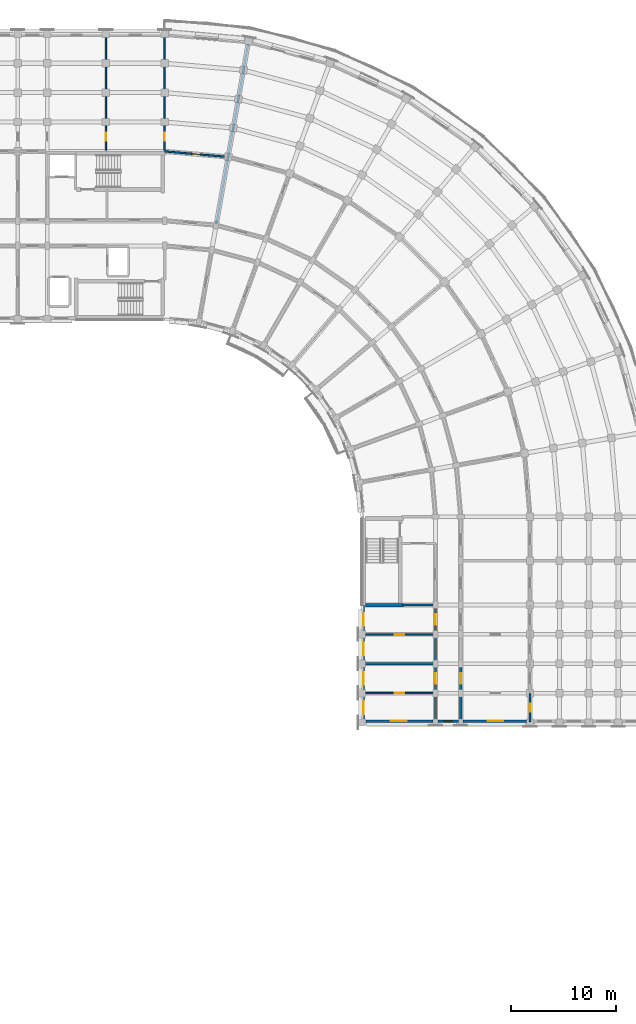
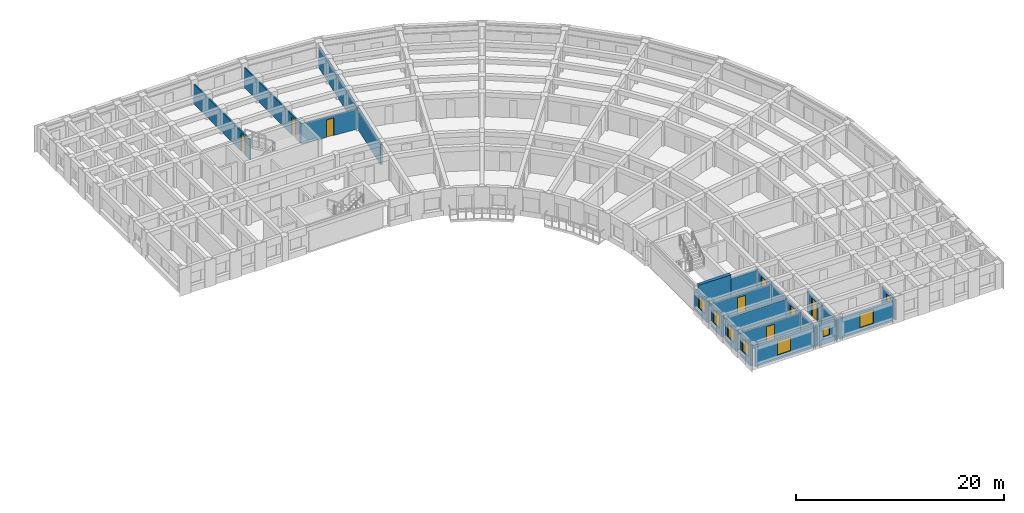
# One storey, part 32 of 57: 23 walls, 9 doors, 7 windows, 16 openings.
"""IFC4 building model written with IfcOpenShell, lengths in metres."""

import ifcopenshell
import ifcopenshell.guid

model = None  # the IFC model being written
_history = None  # IfcOwnerHistory: only IFC2X3 demands one
_inside = {}  # id of a spatial element -> (the spatial element, [elements in it])
_under = {}  # id of a project, library or spatial element -> (it, [spatial elements below it])
_declared = {}  # id of a project -> (the project, [libraries it declares])
_typed = {}  # id of a type object -> (the type object, [elements of that type])
_made_of = {}  # id of a material, layer set ... -> (it, [elements and type objects made of it])


def new_model(schema):
    """Start an empty IFC model of exactly this schema.

    Asked for "IFC4X3", IfcOpenShell would pick the latest addendum, in which some entities
    have other attributes; the version numbers below select the first issue.
    IFC2X3 requires an IfcOwnerHistory on every rooted entity: one is made here for all.
    """
    global model, _history
    if schema == "IFC4X3":
        model = ifcopenshell.file(schema_version=(4, 3, 0, 0))
    else:
        model = ifcopenshell.file(schema=schema)
    _inside.clear()
    _under.clear()
    _declared.clear()
    _typed.clear()
    _made_of.clear()
    _history = None
    if model.schema == "IFC2X3":
        org = make("IfcOrganization", Name="unknown")
        user = make(
            "IfcPersonAndOrganization",
            ThePerson=make("IfcPerson", FamilyName="unknown"),
            TheOrganization=org,
        )
        app = make(
            "IfcApplication",
            ApplicationDeveloper=org,
            Version="unknown",
            ApplicationFullName="unknown",
            ApplicationIdentifier="unknown",
        )
        _history = make(
            "IfcOwnerHistory",
            OwningUser=user,
            OwningApplication=app,
            ChangeAction="ADDED",
            CreationDate=0,
        )
    return model


def make(cls, **values):
    """One entity of the class cls with the attributes given. An attribute that is None is left unset."""
    return model.create_entity(
        cls, **{name: value for name, value in values.items() if value is not None}
    )


def rooted(cls, **values):
    """An entity with a GlobalId (a new one), such as an element, a storey or a relation."""
    return make(cls, GlobalId=ifcopenshell.guid.new(), OwnerHistory=_history, **values)


def si_unit(unit_type, name, prefix=None):
    """IfcSIUnit, for example si_unit("LENGTHUNIT", "METRE", prefix="MILLI")."""
    return make("IfcSIUnit", UnitType=unit_type, Prefix=prefix, Name=name)


def assignment(units):
    """IfcUnitAssignment: the units of a project."""
    return None if units is None else make("IfcUnitAssignment", Units=units)


def point(xyz):
    """IfcCartesianPoint."""
    return None if xyz is None else make("IfcCartesianPoint", Coordinates=xyz)


def direction(xyz):
    """IfcDirection."""
    return None if xyz is None else make("IfcDirection", DirectionRatios=xyz)


def frame(location, z_axis=None, x_axis=None):
    """IfcAxis2Placement3D, a coordinate frame: its origin and axes. An axis left out is left unset."""
    return make(
        "IfcAxis2Placement3D",
        Location=point(location),
        Axis=direction(z_axis),
        RefDirection=direction(x_axis),
    )


def frame_2d(location, x_axis=None):
    """IfcAxis2Placement2D, a coordinate frame in the plane: its origin and x axis."""
    return make(
        "IfcAxis2Placement2D", Location=point(location), RefDirection=direction(x_axis)
    )


def origin():
    """The frame at (0, 0, 0) with its axes left unset."""
    return frame((0.0, 0.0, 0.0))


def place(relative_to, where):
    """IfcLocalPlacement: puts the frame where relative to a parent placement (None: the world)."""
    return make(
        "IfcLocalPlacement", PlacementRelTo=relative_to, RelativePlacement=where
    )


def context(
    kind, dimensions, precision=None, world=None, true_north=None, identifier=None
):
    """IfcGeometricRepresentationContext, for example the 3D "Model" context."""
    return make(
        "IfcGeometricRepresentationContext",
        ContextIdentifier=identifier,
        ContextType=kind,
        CoordinateSpaceDimension=dimensions,
        Precision=precision,
        WorldCoordinateSystem=world,
        TrueNorth=true_north,
    )


def subcontext(parent, identifier, kind, view, scale=None):
    """IfcGeometricRepresentationSubContext, for example "Body" below "Model"."""
    return make(
        "IfcGeometricRepresentationSubContext",
        ContextIdentifier=identifier,
        ContextType=kind,
        ParentContext=parent,
        TargetScale=scale,
        TargetView=view,
    )


def project(units=None, contexts=None):
    """IfcProject with its units and contexts."""
    return rooted(
        "IfcProject",
        Name="project",
        RepresentationContexts=contexts,
        UnitsInContext=assignment(units),
    )


def spatial(cls, under=None, at=None, **own):
    """A site, building, storey or space (cls), placed at a placement, below another one or the project."""
    s = rooted(cls, ObjectPlacement=at, **own)
    if under is not None:
        _under.setdefault(under.id(), (under, []))[1].append(s)
    return s


def profile(cls, at=None, kind="AREA", **sizes):
    """A parametric profile (cls). Its sizes go by their IFC names, for example OverallWidth=200.0."""
    return make(cls, ProfileType=kind, Position=at, **sizes)


def rectangle(**sizes):
    """IfcRectangleProfileDef."""
    return profile("IfcRectangleProfileDef", **sizes)


def extrude(swept, where, along, depth):
    """IfcExtrudedAreaSolid: the profile swept, set in the frame where, extruded along a direction by depth."""
    return make(
        "IfcExtrudedAreaSolid",
        SweptArea=swept,
        Position=where,
        ExtrudedDirection=direction(along),
        Depth=depth,
    )


def shape(context_of_items, identifier, shape_type, items):
    """IfcShapeRepresentation: the items that make up one representation, for example the "Body"."""
    return make(
        "IfcShapeRepresentation",
        ContextOfItems=context_of_items,
        RepresentationIdentifier=identifier,
        RepresentationType=shape_type,
        Items=items,
    )


def material(Name=None, Category=None):
    """IfcMaterial."""
    return make("IfcMaterial", Name=Name, Category=Category)


def layer(
    of_material, thickness, ventilated=None, Name=None, Category=None, Priority=None
):
    """IfcMaterialLayer: one layer of a wall or slab, of a material (None: an air gap)."""
    return make(
        "IfcMaterialLayer",
        Material=of_material,
        LayerThickness=thickness,
        IsVentilated=ventilated,
        Name=Name,
        Category=Category,
        Priority=Priority,
    )


def layer_set(layers, Name=None):
    """IfcMaterialLayerSet."""
    return make("IfcMaterialLayerSet", MaterialLayers=layers, LayerSetName=Name)


def made_of(thing, what):
    """Note that an element or type object is made of a material, layer set ...; save() writes the relation."""
    if what is not None:
        _made_of.setdefault(what.id(), (what, []))[1].append(thing)
    return thing


def type_object(cls, material=None, **own):
    """A type object (cls), such as IfcWallType, which elements share."""
    return made_of(rooted(cls, **own), material)


def element(
    cls,
    number,
    at=None,
    inside=None,
    cuts=None,
    type_object=None,
    material=None,
    context=None,
    identifier="Body",
    shape_type=None,
    held_by="IfcProductDefinitionShape",
    body=None,
    shapes=None,
    **own,
):
    """One element of the class cls, such as IfcWall. Its Tag is "e" and its number.

    at: its placement. inside: the storey or other place that contains it. cuts: it is an
    opening in that element (IfcRelVoidsElement). A single representation is given by context,
    identifier, shape_type and body (its items); several are given by shapes. held_by: the class
    of the entity that holds the representations. save() writes the other relations.
    """
    e = rooted(cls, Tag="e%d" % number, ObjectPlacement=at, **own)
    if body is not None:
        shapes = [shape(context, identifier, shape_type, body)]
    if shapes is not None:
        e.Representation = make(held_by, Representations=shapes)
    if inside is not None:
        _inside.setdefault(inside.id(), (inside, []))[1].append(e)
    if cuts is not None:
        rooted(
            "IfcRelVoidsElement", RelatingBuildingElement=cuts, RelatedOpeningElement=e
        )
    if type_object is not None:
        _typed.setdefault(type_object.id(), (type_object, []))[1].append(e)
    return made_of(e, material)


def fill(opening, filler):
    """IfcRelFillsElement: the door or window that sits in an opening."""
    return rooted(
        "IfcRelFillsElement",
        RelatingOpeningElement=opening,
        RelatedBuildingElement=filler,
    )


def aggregate(whole, parts):
    """IfcRelAggregates: a whole, such as a stair, and the parts it consists of."""
    return rooted("IfcRelAggregates", RelatingObject=whole, RelatedObjects=parts)


def save(model, path):
    """Write the relations noted so far, then the file.

    IfcRelAggregates (storeys below a building ...), IfcRelContainedInSpatialStructure (elements
    in a storey), IfcRelDefinesByType, IfcRelAssociatesMaterial and IfcRelDeclares: one each for
    every whole, place, type object, material and project.
    """
    for whole, parts in _under.values():
        aggregate(whole, parts)
    for where, things in _inside.values():
        rooted(
            "IfcRelContainedInSpatialStructure",
            RelatedElements=things,
            RelatingStructure=where,
        )
    for kind, things in _typed.values():
        rooted("IfcRelDefinesByType", RelatedObjects=things, RelatingType=kind)
    for what, things in _made_of.values():
        rooted("IfcRelAssociatesMaterial", RelatedObjects=things, RelatingMaterial=what)
    for by, libraries in _declared.values():
        rooted("IfcRelDeclares", RelatingContext=by, RelatedDefinitions=libraries)
    model.write(path)


model = new_model("IFC4")

# Units and contexts
model_context = context("Model", 3, precision=1e-05, world=origin(), true_north=direction((0.0, 1.0)))
body_context = subcontext(model_context, "Body", "Model", "MODEL_VIEW")
ifc_project = project(units=[si_unit("LENGTHUNIT", "METRE"), si_unit("AREAUNIT", "SQUARE_METRE"), si_unit("VOLUMEUNIT", "CUBIC_METRE"), si_unit("PLANEANGLEUNIT", "RADIAN"), si_unit("MASSUNIT", "GRAM", prefix="KILO")], contexts=[model_context])

# Site, building, storey
site_placement = place(None, origin())
site = spatial("IfcSite", under=ifc_project, at=site_placement, CompositionType="ELEMENT")
building_placement = place(site_placement, origin())
building = spatial("IfcBuilding", under=site, at=building_placement, Name="Kiranvali Square Residences", CompositionType="ELEMENT")
storey_placement = place(building_placement, frame((0.0, 0.0, 18.14990234375)))
storey = spatial("IfcBuildingStorey", under=building, at=storey_placement, Name="L05", CompositionType="ELEMENT", Elevation=18.14990234375)

# Wall, opening, door
ifc_material_1 = material(Name="Autoclaved aerated concrete blockwork masonry", Category="masonry")
ifc_layer_1 = layer(ifc_material_1, 0.199951171875)
ifc_layer_set_1 = layer_set([ifc_layer_1], Name="Autoclaved aerated concrete blockwork masonry")
wall_type_1 = type_object("IfcWallType", Name="WL-COR-200", PredefinedType="STANDARD", material=ifc_layer_set_1)
wall_1_placement = place(storey_placement, frame((145.60009765625, 79.39990234375, 0.0), z_axis=(0.0, 0.0, 1.0), x_axis=(0.0, -1.0, 0.0)))
wall_1 = element("IfcWall", 1, at=wall_1_placement, inside=storey, type_object=wall_type_1, Name="L05 architectural wall WL-L05-B-A2CI-0", PredefinedType="STANDARD", context=body_context, shape_type="SweptSolid", body=[
    extrude(rectangle(XDim=2.7998046875, YDim=0.199951171875, at=frame_2d((1.39990234375, 0.0))), origin(), (0.0, 0.0, 1.0), 2.3720703125),
])
opening_1_placement = place(wall_1_placement, frame((0.89990234375, 0.0, 0.0)))
opening_1 = element("IfcOpeningElement", 2, at=opening_1_placement, cuts=wall_1, Name="Opening FD-APT-60", PredefinedType="OPENING", context=body_context, shape_type="SweptSolid", body=[
    extrude(rectangle(XDim=1.0, YDim=2.14990234375, at=frame_2d((0.5, 1.074951171875))), frame((0.0, 0.10986328125, 0.0), z_axis=(0.0, -1.0, 0.0), x_axis=(1.0, 0.0, 0.0)), (0.0, 0.0, 1.0), 0.219970703125),
])
ifc_material_2 = material(Name="Fire-rated acoustic hardwood and mineral-core door assembly", Category="wood")
door_type_1 = type_object("IfcDoorType", Name="DR-APT-1000", OperationType="NOTDEFINED", PredefinedType="DOOR", material=ifc_material_2)
door_1_placement = place(opening_1_placement, frame((1.0, 0.0, 0.0), z_axis=(0.0, 0.0, 1.0), x_axis=(-1.0, 0.0, 0.0)))
door_1 = element("IfcDoor", 3, at=door_1_placement, inside=storey, type_object=door_type_1, Name="L05 door DR-L05-1314 (DR-APT-1000)", OperationType="SINGLE_SWING_RIGHT", OverallHeight=2.14990234375, OverallWidth=1.0, PredefinedType="DOOR", context=body_context, shape_type="SweptSolid", body=[
    extrude(rectangle(XDim=1.0, YDim=2.14990234375, at=frame_2d((0.5, 1.074951171875))), frame((0.0, 0.02490234375, 0.0), z_axis=(0.0, -1.0, 0.0), x_axis=(1.0, 0.0, 0.0)), (0.0, 0.0, 1.0), 0.050048828125),
])
fill(opening_1, door_1)

# Wall
wall_2_placement = place(storey_placement, frame((145.60009765625, 76.60009765625, 0.0), z_axis=(0.0, 0.0, 1.0), x_axis=(0.0, -1.0, 0.0)))
element("IfcWall", 4, at=wall_2_placement, inside=storey, type_object=wall_type_1, Name="L05 architectural wall WL-L05-B-A2CI-1", PredefinedType="STANDARD", context=body_context, shape_type="SweptSolid", body=[
    extrude(rectangle(XDim=2.800048828125, YDim=0.199951171875, at=frame_2d((1.39990234375, 0.0))), origin(), (0.0, 0.0, 1.0), 2.3720703125),
])

# Wall, opening, door
wall_3_placement = place(storey_placement, frame((145.60009765625, 73.800048828125, 0.0), z_axis=(0.0, 0.0, 1.0), x_axis=(0.0, -1.0, 0.0)))
wall_3 = element("IfcWall", 5, at=wall_3_placement, inside=storey, type_object=wall_type_1, Name="L05 architectural wall WL-L05-B-A2CI-2", PredefinedType="STANDARD", context=body_context, shape_type="SweptSolid", body=[
    extrude(rectangle(XDim=2.800048828125, YDim=0.199951171875, at=frame_2d((1.39990234375, 0.0))), origin(), (0.0, 0.0, 1.0), 2.3720703125),
])
opening_2_placement = place(wall_3_placement, frame((0.89990234375, 0.0, 0.0)))
opening_2 = element("IfcOpeningElement", 6, at=opening_2_placement, cuts=wall_3, Name="Opening FD-APT-60", PredefinedType="OPENING", context=body_context, shape_type="SweptSolid", body=[
    extrude(rectangle(XDim=1.0, YDim=2.14990234375, at=frame_2d((0.5, 1.074951171875))), frame((0.0, 0.10986328125, 0.0), z_axis=(0.0, -1.0, 0.0), x_axis=(1.0, 0.0, 0.0)), (0.0, 0.0, 1.0), 0.219970703125),
])
door_2_placement = place(opening_2_placement, frame((1.0, 0.0, 0.0), z_axis=(0.0, 0.0, 1.0), x_axis=(-1.0, 0.0, 0.0)))
door_2 = element("IfcDoor", 7, at=door_2_placement, inside=storey, type_object=door_type_1, Name="L05 door DR-L05-1320 (DR-APT-1000)", OperationType="SINGLE_SWING_RIGHT", OverallHeight=2.14990234375, OverallWidth=1.0, PredefinedType="DOOR", context=body_context, shape_type="SweptSolid", body=[
    extrude(rectangle(XDim=1.0, YDim=2.14990234375, at=frame_2d((0.5, 1.074951171875))), frame((0.0, 0.02490234375, 0.0), z_axis=(0.0, -1.0, 0.0), x_axis=(1.0, 0.0, 0.0)), (0.0, 0.0, 1.0), 0.050048828125),
])
fill(opening_2, door_2)

wall_4_placement = place(storey_placement, frame((148.0, 73.800048828125, 0.0), z_axis=(0.0, 0.0, 1.0), x_axis=(0.0, -1.0, 0.0)))
wall_4 = element("IfcWall", 8, at=wall_4_placement, inside=storey, type_object=wall_type_1, Name="L05 architectural wall WL-L05-B-A2CO-2", PredefinedType="STANDARD", context=body_context, shape_type="SweptSolid", body=[
    extrude(rectangle(XDim=2.800048828125, YDim=0.199951171875, at=frame_2d((1.39990234375, 0.0))), origin(), (0.0, 0.0, 1.0), 2.3720703125),
])
opening_3_placement = place(wall_4_placement, frame((0.89990234375, 0.0, 0.0)))
opening_3 = element("IfcOpeningElement", 9, at=opening_3_placement, cuts=wall_4, Name="Opening FD-APT-60", PredefinedType="OPENING", context=body_context, shape_type="SweptSolid", body=[
    extrude(rectangle(XDim=1.0, YDim=2.14990234375, at=frame_2d((0.5, 1.074951171875))), frame((0.0, 0.10986328125, 0.0), z_axis=(0.0, -1.0, 0.0), x_axis=(1.0, 0.0, 0.0)), (0.0, 0.0, 1.0), 0.219970703125),
])
door_3_placement = place(opening_3_placement, frame((1.0, 0.0, 0.0), z_axis=(0.0, 0.0, 1.0), x_axis=(-1.0, 0.0, 0.0)))
door_3 = element("IfcDoor", 10, at=door_3_placement, inside=storey, type_object=door_type_1, Name="L05 door DR-L05-1322 (DR-APT-1000)", OperationType="SINGLE_SWING_RIGHT", OverallHeight=2.14990234375, OverallWidth=1.0, PredefinedType="DOOR", context=body_context, shape_type="SweptSolid", body=[
    extrude(rectangle(XDim=1.0, YDim=2.14990234375, at=frame_2d((0.5, 1.074951171875))), frame((0.0, 0.02490234375, 0.0), z_axis=(0.0, -1.0, 0.0), x_axis=(1.0, 0.0, 0.0)), (0.0, 0.0, 1.0), 0.050048828125),
])
fill(opening_3, door_3)

# Walls
for number, where, z_axis, x_axis, name in (
    (11, (145.60009765625, 71.0, 0.0), (0.0, 0.0, 1.0), (0.0, -1.0, 0.0), "L05 architectural wall WL-L05-B-A2CI-3"),
    (12, (148.0, 71.0, 0.0), (0.0, 0.0, 1.0), (0.0, -1.0, 0.0), "L05 architectural wall WL-L05-B-A2CO-3"),
):
    element("IfcWall", number, at=place(storey_placement, frame(where, z_axis=z_axis, x_axis=x_axis)), inside=storey, type_object=wall_type_1, Name=name, PredefinedType="STANDARD", context=body_context, shape_type="SweptSolid", body=[
        extrude(rectangle(XDim=2.800048828125, YDim=0.199951171875, at=frame_2d((1.39990234375, 0.0))), origin(), (0.0, 0.0, 1.0), 2.3720703125),
    ])
ifc_layer_2 = layer(ifc_material_1, 0.219970703125)
ifc_layer_set_2 = layer_set([ifc_layer_2], Name="Autoclaved aerated concrete blockwork masonry")
wall_type_2 = type_object("IfcWallType", Name="WL-DEM-220", PredefinedType="STANDARD", material=ifc_layer_set_2)
wall_5_placement = place(storey_placement, frame((124.71435546875, 115.670166015625, 0.0), z_axis=(0.0, 0.0, 1.0), x_axis=(0.173646216546, 0.984808098809, 0.0)))
element("IfcWall", 13, at=wall_5_placement, inside=storey, type_object=wall_type_2, Name="L05 architectural wall WL-L05-B-RADO-1", PredefinedType="STANDARD", context=body_context, shape_type="SweptSolid", body=[
    extrude(rectangle(XDim=17.419921875, YDim=0.219970703125, at=frame_2d((8.7099609375, 0.0))), origin(), (0.0, 0.0, 1.0), 2.3720703125),
])
wall_6_placement = place(storey_placement, frame((142.449951171875, 79.39990234375, 0.0), z_axis=(0.0, 0.0, 1.0), x_axis=(1.0, 0.0, 0.0)))
element("IfcWall", 14, at=wall_6_placement, inside=storey, type_object=wall_type_2, Name="L05 architectural wall WL-L05-B-A2TI-0", PredefinedType="STANDARD", context=body_context, shape_type="SweptSolid", body=[
    extrude(rectangle(XDim=3.10009765625, YDim=0.219970703125, at=frame_2d((1.550048828125, 0.0))), origin(), (0.0, 0.0, 1.0), 2.3720703125),
])
wall_7_placement = place(storey_placement, frame((138.800048828125, 73.800048828125, 0.0), z_axis=(0.0, 0.0, 1.0), x_axis=(1.0, 0.0, 0.0)))
element("IfcWall", 15, at=wall_7_placement, inside=storey, type_object=wall_type_2, Name="L05 architectural wall WL-L05-B-A2TI-2", PredefinedType="STANDARD", context=body_context, shape_type="SweptSolid", body=[
    extrude(rectangle(XDim=6.75, YDim=0.219970703125, at=frame_2d((3.375, 0.0))), origin(), (0.0, 0.0, 1.0), 2.3720703125),
])

# Wall, opening, window
ifc_material_3 = material(Name="Breathable lime-rendered clay brick masonry", Category="masonry")
ifc_layer_3 = layer(ifc_material_3, 0.25)
ifc_layer_set_3 = layer_set([ifc_layer_3], Name="Breathable lime-rendered clay brick masonry")
wall_type_3 = type_object("IfcWallType", Name="WL-EXT-250", PredefinedType="STANDARD", material=ifc_layer_set_3)
wall_8_placement = place(storey_placement, frame((138.72509765625, 79.37158203125, 0.0), z_axis=(0.0, 0.0, 1.0), x_axis=(0.0, -1.0, 0.0)))
wall_8 = element("IfcWall", 16, at=wall_8_placement, inside=storey, type_object=wall_type_3, Name="L05 exterior wall B-L05-A2I-0", PredefinedType="STANDARD", context=body_context, shape_type="SweptSolid", body=[
    extrude(rectangle(XDim=2.41796875, YDim=0.25, at=frame_2d((1.208984375, 0.0))), origin(), (0.0, 0.0, 1.0), 2.47216796875),
])
opening_4_placement = place(wall_8_placement, frame((0.771484375, 0.0, 0.77197265625)))
opening_4 = element("IfcOpeningElement", 17, at=opening_4_placement, cuts=wall_8, Name="Opening W-06", PredefinedType="OPENING", context=body_context, shape_type="SweptSolid", body=[
    extrude(rectangle(XDim=1.199951171875, YDim=1.5, at=frame_2d((0.60009765625, 0.75))), frame((0.0, 0.135009765625, 0.0), z_axis=(0.0, -1.0, 0.0), x_axis=(1.0, 0.0, 0.0)), (0.0, 0.0, 1.0), 0.27001953125),
])
ifc_material_4 = material(Name="Solar-control low-e double glazing", Category="glass")
window_type_1 = type_object("IfcWindowType", Name="WIN-RES-1200x1500", PartitioningType="SINGLE_PANEL", PredefinedType="WINDOW", material=ifc_material_4)
window_1_placement = place(opening_4_placement, origin())
window_1 = element("IfcWindow", 18, at=window_1_placement, inside=storey, type_object=window_type_1, Name="L05 recessed window B-L05-A2I-0", OverallHeight=1.5, OverallWidth=1.199951171875, PartitioningType="SINGLE_PANEL", PredefinedType="WINDOW", context=body_context, shape_type="SweptSolid", body=[
    extrude(rectangle(XDim=1.199951171875, YDim=1.5, at=frame_2d((0.60009765625, 0.75))), frame((0.0, 0.030029296875, 0.0), z_axis=(0.0, -1.0, 0.0), x_axis=(1.0, 0.0, 0.0)), (0.0, 0.0, 1.0), 0.06005859375),
])
fill(opening_4, window_1)

wall_9_placement = place(storey_placement, frame((138.72509765625, 76.24658203125, 0.0), z_axis=(0.0, 0.0, 1.0), x_axis=(0.0, -1.0, 0.0)))
wall_9 = element("IfcWall", 19, at=wall_9_placement, inside=storey, type_object=wall_type_3, Name="L05 exterior wall B-L05-A2I-1", PredefinedType="STANDARD", context=body_context, shape_type="SweptSolid", body=[
    extrude(rectangle(XDim=2.093017578125, YDim=0.25, at=frame_2d((1.04638671875, 0.0))), origin(), (0.0, 0.0, 1.0), 2.47216796875),
])
opening_5_placement = place(wall_9_placement, frame((0.446533203125, 0.0, 0.77197265625)))
opening_5 = element("IfcOpeningElement", 20, at=opening_5_placement, cuts=wall_9, Name="Opening W-06", PredefinedType="OPENING", context=body_context, shape_type="SweptSolid", body=[
    extrude(rectangle(XDim=1.199951171875, YDim=1.5, at=frame_2d((0.60009765625, 0.75))), frame((0.0, 0.135009765625, 0.0), z_axis=(0.0, -1.0, 0.0), x_axis=(1.0, 0.0, 0.0)), (0.0, 0.0, 1.0), 0.27001953125),
])
window_2_placement = place(opening_5_placement, origin())
window_2 = element("IfcWindow", 21, at=window_2_placement, inside=storey, type_object=window_type_1, Name="L05 recessed window B-L05-A2I-1", OverallHeight=1.5, OverallWidth=1.199951171875, PartitioningType="SINGLE_PANEL", PredefinedType="WINDOW", context=body_context, shape_type="SweptSolid", body=[
    extrude(rectangle(XDim=1.199951171875, YDim=1.5, at=frame_2d((0.60009765625, 0.75))), frame((0.0, 0.030029296875, 0.0), z_axis=(0.0, -1.0, 0.0), x_axis=(1.0, 0.0, 0.0)), (0.0, 0.0, 1.0), 0.06005859375),
])
fill(opening_5, window_2)

wall_10_placement = place(storey_placement, frame((138.72509765625, 73.446533203125, 0.0), z_axis=(0.0, 0.0, 1.0), x_axis=(0.0, -1.0, 0.0)))
wall_10 = element("IfcWall", 22, at=wall_10_placement, inside=storey, type_object=wall_type_3, Name="L05 exterior wall B-L05-A2I-2", PredefinedType="STANDARD", context=body_context, shape_type="SweptSolid", body=[
    extrude(rectangle(XDim=2.093017578125, YDim=0.25, at=frame_2d((1.04638671875, 0.0))), origin(), (0.0, 0.0, 1.0), 2.47216796875),
])
opening_6_placement = place(wall_10_placement, frame((0.446533203125, 0.0, 0.77197265625)))
opening_6 = element("IfcOpeningElement", 23, at=opening_6_placement, cuts=wall_10, Name="Opening W-06", PredefinedType="OPENING", context=body_context, shape_type="SweptSolid", body=[
    extrude(rectangle(XDim=1.199951171875, YDim=1.5, at=frame_2d((0.60009765625, 0.75))), frame((0.0, 0.135009765625, 0.0), z_axis=(0.0, -1.0, 0.0), x_axis=(1.0, 0.0, 0.0)), (0.0, 0.0, 1.0), 0.27001953125),
])
window_3_placement = place(opening_6_placement, origin())
window_3 = element("IfcWindow", 24, at=window_3_placement, inside=storey, type_object=window_type_1, Name="L05 recessed window B-L05-A2I-2", OverallHeight=1.5, OverallWidth=1.199951171875, PartitioningType="SINGLE_PANEL", PredefinedType="WINDOW", context=body_context, shape_type="SweptSolid", body=[
    extrude(rectangle(XDim=1.199951171875, YDim=1.5, at=frame_2d((0.60009765625, 0.75))), frame((0.0, 0.030029296875, 0.0), z_axis=(0.0, -1.0, 0.0), x_axis=(1.0, 0.0, 0.0)), (0.0, 0.0, 1.0), 0.06005859375),
])
fill(opening_6, window_3)

wall_11_placement = place(storey_placement, frame((138.72509765625, 70.646484375, 0.0), z_axis=(0.0, 0.0, 1.0), x_axis=(0.0, -1.0, 0.0)))
wall_11 = element("IfcWall", 25, at=wall_11_placement, inside=storey, type_object=wall_type_3, Name="L05 exterior wall B-L05-A2I-3", PredefinedType="STANDARD", context=body_context, shape_type="SweptSolid", body=[
    extrude(rectangle(XDim=2.093017578125, YDim=0.25, at=frame_2d((1.04638671875, 0.0))), origin(), (0.0, 0.0, 1.0), 2.47216796875),
])
opening_7_placement = place(wall_11_placement, frame((0.446533203125, 0.0, 0.77197265625)))
opening_7 = element("IfcOpeningElement", 26, at=opening_7_placement, cuts=wall_11, Name="Opening W-06", PredefinedType="OPENING", context=body_context, shape_type="SweptSolid", body=[
    extrude(rectangle(XDim=1.199951171875, YDim=1.5, at=frame_2d((0.60009765625, 0.75))), frame((0.0, 0.135009765625, 0.0), z_axis=(0.0, -1.0, 0.0), x_axis=(1.0, 0.0, 0.0)), (0.0, 0.0, 1.0), 0.27001953125),
])
window_4_placement = place(opening_7_placement, origin())
window_4 = element("IfcWindow", 27, at=window_4_placement, inside=storey, type_object=window_type_1, Name="L05 recessed window B-L05-A2I-3", OverallHeight=1.5, OverallWidth=1.199951171875, PartitioningType="SINGLE_PANEL", PredefinedType="WINDOW", context=body_context, shape_type="SweptSolid", body=[
    extrude(rectangle(XDim=1.199951171875, YDim=1.5, at=frame_2d((0.60009765625, 0.75))), frame((0.0, 0.030029296875, 0.0), z_axis=(0.0, -1.0, 0.0), x_axis=(1.0, 0.0, 0.0)), (0.0, 0.0, 1.0), 0.06005859375),
])
fill(opening_7, window_4)

wall_12_placement = place(storey_placement, frame((138.95361328125, 68.324951171875, 0.0), z_axis=(0.0, 0.0, 1.0), x_axis=(1.0, 0.0, 0.0)))
wall_12 = element("IfcWall", 28, at=wall_12_placement, inside=storey, type_object=wall_type_3, Name="L05 exterior wall B-L05-A2END-0", PredefinedType="STANDARD", context=body_context, shape_type="SweptSolid", body=[
    extrude(rectangle(XDim=6.41796875, YDim=0.25, at=frame_2d((3.208984375, 0.0))), origin(), (0.0, 0.0, 1.0), 2.3720703125),
])
opening_8_placement = place(wall_12_placement, frame((2.396484375, 0.0, 0.52197265625)))
opening_8 = element("IfcOpeningElement", 29, at=opening_8_placement, cuts=wall_12, Name="Opening W-05", PredefinedType="OPENING", context=body_context, shape_type="SweptSolid", body=[
    extrude(rectangle(XDim=1.5, YDim=1.64990234375, at=frame_2d((0.75, 0.824951171875))), frame((0.0, 0.135009765625, 0.0), z_axis=(0.0, -1.0, 0.0), x_axis=(1.0, 0.0, 0.0)), (0.0, 0.0, 1.0), 0.27001953125),
])
window_type_2 = type_object("IfcWindowType", Name="WIN-RES-1500x1650", PartitioningType="DOUBLE_PANEL_VERTICAL", PredefinedType="WINDOW", material=ifc_material_4)
window_5_placement = place(opening_8_placement, origin())
window_5 = element("IfcWindow", 30, at=window_5_placement, inside=storey, type_object=window_type_2, Name="L05 recessed window B-L05-A2END-0", OverallHeight=1.64990234375, OverallWidth=1.5, PartitioningType="DOUBLE_PANEL_VERTICAL", PredefinedType="WINDOW", context=body_context, shape_type="SweptSolid", body=[
    extrude(rectangle(XDim=1.5, YDim=1.64990234375, at=frame_2d((0.75, 0.824951171875))), frame((0.0, 0.030029296875, 0.0), z_axis=(0.0, -1.0, 0.0), x_axis=(1.0, 0.0, 0.0)), (0.0, 0.0, 1.0), 0.06005859375),
])
fill(opening_8, window_5)

wall_13_placement = place(storey_placement, frame((145.82861328125, 68.324951171875, 0.0), z_axis=(0.0, 0.0, 1.0), x_axis=(1.0, 0.0, 0.0)))
wall_13 = element("IfcWall", 31, at=wall_13_placement, inside=storey, type_object=wall_type_3, Name="L05 exterior wall B-L05-A2END-1", PredefinedType="STANDARD", context=body_context, shape_type="SweptSolid", body=[
    extrude(rectangle(XDim=1.94287109375, YDim=0.25, at=frame_2d((0.971435546875, 0.0))), origin(), (0.0, 0.0, 1.0), 2.3720703125),
])
opening_9_placement = place(wall_13_placement, frame((0.596435546875, 0.0, 0.8798828125)))
opening_9 = element("IfcOpeningElement", 32, at=opening_9_placement, cuts=wall_13, Name="Opening W-07", PredefinedType="OPENING", context=body_context, shape_type="SweptSolid", body=[
    extrude(rectangle(XDim=0.75, YDim=1.050048828125, at=frame_2d((0.375, 0.52490234375))), frame((0.0, 0.135009765625, 0.0), z_axis=(0.0, -1.0, 0.0), x_axis=(1.0, 0.0, 0.0)), (0.0, 0.0, 1.0), 0.27001953125),
])
window_type_3 = type_object("IfcWindowType", Name="WIN-WET-750x1050", PartitioningType="SINGLE_PANEL", PredefinedType="WINDOW", material=ifc_material_4)
window_6_placement = place(opening_9_placement, origin())
window_6 = element("IfcWindow", 33, at=window_6_placement, inside=storey, type_object=window_type_3, Name="L05 recessed window B-L05-A2END-1", OverallHeight=1.050048828125, OverallWidth=0.75, PartitioningType="SINGLE_PANEL", PredefinedType="WINDOW", context=body_context, shape_type="SweptSolid", body=[
    extrude(rectangle(XDim=0.75, YDim=1.050048828125, at=frame_2d((0.375, 0.52490234375))), frame((0.0, 0.030029296875, 0.0), z_axis=(0.0, -1.0, 0.0), x_axis=(1.0, 0.0, 0.0)), (0.0, 0.0, 1.0), 0.06005859375),
])
fill(opening_9, window_6)

wall_14_placement = place(storey_placement, frame((148.228515625, 68.324951171875, 0.0), z_axis=(0.0, 0.0, 1.0), x_axis=(1.0, 0.0, 0.0)))
wall_14 = element("IfcWall", 34, at=wall_14_placement, inside=storey, type_object=wall_type_3, Name="L05 exterior wall B-L05-A2END-2", PredefinedType="STANDARD", context=body_context, shape_type="SweptSolid", body=[
    extrude(rectangle(XDim=6.01806640625, YDim=0.25, at=frame_2d((3.009033203125, 0.0))), origin(), (0.0, 0.0, 1.0), 2.3720703125),
])
opening_10_placement = place(wall_14_placement, frame((2.321533203125, 0.0, 0.52197265625)))
opening_10 = element("IfcOpeningElement", 35, at=opening_10_placement, cuts=wall_14, Name="Opening W-05", PredefinedType="OPENING", context=body_context, shape_type="SweptSolid", body=[
    extrude(rectangle(XDim=1.5, YDim=1.64990234375, at=frame_2d((0.75, 0.824951171875))), frame((0.0, 0.135009765625, 0.0), z_axis=(0.0, -1.0, 0.0), x_axis=(1.0, 0.0, 0.0)), (0.0, 0.0, 1.0), 0.27001953125),
])
window_7_placement = place(opening_10_placement, origin())
window_7 = element("IfcWindow", 36, at=window_7_placement, inside=storey, type_object=window_type_2, Name="L05 recessed window B-L05-A2END-2", OverallHeight=1.64990234375, OverallWidth=1.5, PartitioningType="DOUBLE_PANEL_VERTICAL", PredefinedType="WINDOW", context=body_context, shape_type="SweptSolid", body=[
    extrude(rectangle(XDim=1.5, YDim=1.64990234375, at=frame_2d((0.75, 0.824951171875))), frame((0.0, 0.030029296875, 0.0), z_axis=(0.0, -1.0, 0.0), x_axis=(1.0, 0.0, 0.0)), (0.0, 0.0, 1.0), 0.06005859375),
])
fill(opening_10, window_7)

# Wall, opening, door
ifc_material_5 = material(Name="Acoustic gypsum board drylined partition", Category="gypsum")
ifc_layer_4 = layer(ifc_material_5, 0.14990234375)
ifc_layer_set_4 = layer_set([ifc_layer_4], Name="Acoustic gypsum board drylined partition")
wall_type_4 = type_object("IfcWallType", Name="WL-PRT-150", PredefinedType="PARTITIONING", material=ifc_layer_set_4)
wall_15_placement = place(storey_placement, frame((114.199951171875, 122.699951171875, 0.0), z_axis=(0.0, 0.0, 1.0), x_axis=(0.0, 1.0, 0.0)))
wall_15 = element("IfcWall", 37, at=wall_15_placement, inside=storey, type_object=wall_type_4, Name="L05 architectural wall WL-L05-B-CF-MID", PredefinedType="PARTITIONING", context=body_context, shape_type="SweptSolid", body=[
    extrude(rectangle(XDim=10.820068359375, YDim=0.14990234375, at=frame_2d((5.41015625, 0.0))), origin(), (0.0, 0.0, 1.0), 2.3720703125),
])
opening_11_placement = place(wall_15_placement, frame((0.8994140625, 0.0, 0.0)))
opening_11 = element("IfcOpeningElement", 38, at=opening_11_placement, cuts=wall_15, Name="Opening ID-WET", PredefinedType="OPENING", context=body_context, shape_type="SweptSolid", body=[
    extrude(rectangle(XDim=0.800048828125, YDim=2.10009765625, at=frame_2d((0.39990234375, 1.050048828125))), frame((0.0, 0.0849609375, 0.0), z_axis=(0.0, -1.0, 0.0), x_axis=(1.0, 0.0, 0.0)), (0.0, 0.0, 1.0), 0.169921875),
])
ifc_material_6 = material(Name="Solid seasoned teak hardwood joinery", Category="wood")
door_type_2 = type_object("IfcDoorType", Name="DR-WET-800", OperationType="NOTDEFINED", PredefinedType="DOOR", material=ifc_material_6)
door_4_placement = place(opening_11_placement, frame((0.800048828125, 0.0, 0.0), z_axis=(0.0, 0.0, 1.0), x_axis=(-1.0, 0.0, 0.0)))
door_4 = element("IfcDoor", 39, at=door_4_placement, inside=storey, type_object=door_type_2, Name="L05 door DR-L05-1266 (DR-WET-800)", OperationType="SINGLE_SWING_RIGHT", OverallHeight=2.10009765625, OverallWidth=0.800048828125, PredefinedType="DOOR", context=body_context, shape_type="SweptSolid", body=[
    extrude(rectangle(XDim=0.800048828125, YDim=2.10009765625, at=frame_2d((0.39990234375, 1.050048828125))), frame((0.0, 0.02490234375, 0.0), z_axis=(0.0, -1.0, 0.0), x_axis=(1.0, 0.0, 0.0)), (0.0, 0.0, 1.0), 0.050048828125),
])
fill(opening_11, door_4)

wall_16_placement = place(storey_placement, frame((119.800048828125, 122.699951171875, 0.0), z_axis=(0.0, 0.0, 1.0), x_axis=(0.0, 1.0, 0.0)))
wall_16 = element("IfcWall", 40, at=wall_16_placement, inside=storey, type_object=wall_type_4, Name="L05 architectural wall WL-L05-B-RADO-0", PredefinedType="PARTITIONING", context=body_context, shape_type="SweptSolid", body=[
    extrude(rectangle(XDim=10.820068359375, YDim=0.14990234375, at=frame_2d((5.41015625, 0.0))), origin(), (0.0, 0.0, 1.0), 2.3720703125),
])
opening_12_placement = place(wall_16_placement, frame((0.8994140625, 0.0, 0.0)))
opening_12 = element("IfcOpeningElement", 41, at=opening_12_placement, cuts=wall_16, Name="Opening ID-WET", PredefinedType="OPENING", context=body_context, shape_type="SweptSolid", body=[
    extrude(rectangle(XDim=0.800048828125, YDim=2.10009765625, at=frame_2d((0.39990234375, 1.050048828125))), frame((0.0, 0.0849609375, 0.0), z_axis=(0.0, -1.0, 0.0), x_axis=(1.0, 0.0, 0.0)), (0.0, 0.0, 1.0), 0.169921875),
])
door_5_placement = place(opening_12_placement, frame((0.800048828125, 0.0, 0.0), z_axis=(0.0, 0.0, 1.0), x_axis=(-1.0, 0.0, 0.0)))
door_5 = element("IfcDoor", 42, at=door_5_placement, inside=storey, type_object=door_type_2, Name="L05 door DR-L05-1282 (DR-WET-800)", OperationType="SINGLE_SWING_RIGHT", OverallHeight=2.10009765625, OverallWidth=0.800048828125, PredefinedType="DOOR", context=body_context, shape_type="SweptSolid", body=[
    extrude(rectangle(XDim=0.800048828125, YDim=2.10009765625, at=frame_2d((0.39990234375, 1.050048828125))), frame((0.0, 0.02490234375, 0.0), z_axis=(0.0, -1.0, 0.0), x_axis=(1.0, 0.0, 0.0)), (0.0, 0.0, 1.0), 0.050048828125),
])
fill(opening_12, door_5)

wall_17_placement = place(storey_placement, frame((138.800048828125, 76.60009765625, 0.0), z_axis=(0.0, 0.0, 1.0), x_axis=(1.0, 0.0, 0.0)))
wall_17 = element("IfcWall", 43, at=wall_17_placement, inside=storey, type_object=wall_type_4, Name="L05 architectural wall WL-L05-B-A2TI-1", PredefinedType="PARTITIONING", context=body_context, shape_type="SweptSolid", body=[
    extrude(rectangle(XDim=6.75, YDim=0.14990234375, at=frame_2d((3.375, 0.0))), origin(), (0.0, 0.0, 1.0), 2.3720703125),
])
opening_13_placement = place(wall_17_placement, frame((2.925048828125, 0.0, 0.0)))
opening_13 = element("IfcOpeningElement", 44, at=opening_13_placement, cuts=wall_17, Name="Opening ID-1", PredefinedType="OPENING", context=body_context, shape_type="SweptSolid", body=[
    extrude(rectangle(XDim=0.89990234375, YDim=2.10009765625, at=frame_2d((0.449951171875, 1.050048828125))), frame((0.0, 0.0849609375, 0.0), z_axis=(0.0, -1.0, 0.0), x_axis=(1.0, 0.0, 0.0)), (0.0, 0.0, 1.0), 0.169921875),
])
door_type_3 = type_object("IfcDoorType", Name="DR-INT-900", OperationType="NOTDEFINED", PredefinedType="DOOR", material=ifc_material_6)
door_6_placement = place(opening_13_placement, frame((0.89990234375, 0.0, 0.0), z_axis=(0.0, 0.0, 1.0), x_axis=(-1.0, 0.0, 0.0)))
door_6 = element("IfcDoor", 45, at=door_6_placement, inside=storey, type_object=door_type_3, Name="L05 door DR-L05-1318 (DR-INT-900)", OperationType="SINGLE_SWING_RIGHT", OverallHeight=2.10009765625, OverallWidth=0.89990234375, PredefinedType="DOOR", context=body_context, shape_type="SweptSolid", body=[
    extrude(rectangle(XDim=0.89990234375, YDim=2.10009765625, at=frame_2d((0.449951171875, 1.050048828125))), frame((0.0, 0.02490234375, 0.0), z_axis=(0.0, -1.0, 0.0), x_axis=(1.0, 0.0, 0.0)), (0.0, 0.0, 1.0), 0.050048828125),
])
fill(opening_13, door_6)

wall_18_placement = place(storey_placement, frame((138.800048828125, 71.0, 0.0), z_axis=(0.0, 0.0, 1.0), x_axis=(1.0, 0.0, 0.0)))
wall_18 = element("IfcWall", 46, at=wall_18_placement, inside=storey, type_object=wall_type_4, Name="L05 architectural wall WL-L05-B-A2TI-3", PredefinedType="PARTITIONING", context=body_context, shape_type="SweptSolid", body=[
    extrude(rectangle(XDim=6.75, YDim=0.14990234375, at=frame_2d((3.375, 0.0))), origin(), (0.0, 0.0, 1.0), 2.3720703125),
])
opening_14_placement = place(wall_18_placement, frame((2.925048828125, 0.0, 0.0)))
opening_14 = element("IfcOpeningElement", 47, at=opening_14_placement, cuts=wall_18, Name="Opening ID-1", PredefinedType="OPENING", context=body_context, shape_type="SweptSolid", body=[
    extrude(rectangle(XDim=0.89990234375, YDim=2.10009765625, at=frame_2d((0.449951171875, 1.050048828125))), frame((0.0, 0.0849609375, 0.0), z_axis=(0.0, -1.0, 0.0), x_axis=(1.0, 0.0, 0.0)), (0.0, 0.0, 1.0), 0.169921875),
])
door_7_placement = place(opening_14_placement, frame((0.89990234375, 0.0, 0.0), z_axis=(0.0, 0.0, 1.0), x_axis=(-1.0, 0.0, 0.0)))
door_7 = element("IfcDoor", 48, at=door_7_placement, inside=storey, type_object=door_type_3, Name="L05 door DR-L05-1324 (DR-INT-900)", OperationType="SINGLE_SWING_RIGHT", OverallHeight=2.10009765625, OverallWidth=0.89990234375, PredefinedType="DOOR", context=body_context, shape_type="SweptSolid", body=[
    extrude(rectangle(XDim=0.89990234375, YDim=2.10009765625, at=frame_2d((0.449951171875, 1.050048828125))), frame((0.0, 0.02490234375, 0.0), z_axis=(0.0, -1.0, 0.0), x_axis=(1.0, 0.0, 0.0)), (0.0, 0.0, 1.0), 0.050048828125),
])
fill(opening_14, door_7)

# Wall
ifc_material_7 = material(Name="Concrete M50 (50 MPa)", Category="concrete")
ifc_layer_5 = layer(ifc_material_7, 0.35009765625)
ifc_layer_set_5 = layer_set([ifc_layer_5], Name="Concrete M50 (50 MPa)")
wall_type_5 = type_object("IfcWallType", Name="WL-SHR-350", PredefinedType="SHEAR", material=ifc_layer_set_5)
wall_19_placement = place(storey_placement, frame((138.949951171875, 79.375, 0.0), z_axis=(0.0, 0.0, 1.0), x_axis=(1.0, 0.0, 0.0)))
element("IfcWall", 49, at=wall_19_placement, inside=storey, type_object=wall_type_5, Name="Block B core shear wall SW-B3-FAR-L05", PredefinedType="SHEAR", context=body_context, shape_type="SweptSolid", body=[
    extrude(rectangle(XDim=3.60009765625, YDim=0.35009765625, at=frame_2d((1.800048828125, 0.0))), origin(), (0.0, 0.0, 1.0), 2.93017578125),
])

# Wall, opening, door
ifc_layer_6 = layer(ifc_material_1, 0.14990234375)
ifc_layer_set_6 = layer_set([ifc_layer_6], Name="Autoclaved aerated concrete blockwork masonry")
wall_type_6 = type_object("IfcWallType", Name="WL-WET-150", PredefinedType="PLUMBINGWALL", material=ifc_layer_set_6)
wall_20_placement = place(storey_placement, frame((119.800048828125, 122.60009765625, 0.0), z_axis=(0.0, 0.0, 1.0), x_axis=(0.996193018494, -0.087174938512, 0.0)))
wall_20 = element("IfcWall", 50, at=wall_20_placement, inside=storey, type_object=wall_type_6, Name="L05 architectural wall WL-L05-B-CWET-0", PredefinedType="PLUMBINGWALL", context=body_context, shape_type="SweptSolid", body=[
    extrude(rectangle(XDim=6.066162109375, YDim=0.14990234375, at=frame_2d((3.033203125, 0.0))), origin(), (0.0, 0.0, 1.0), 2.3720703125),
])
opening_15_placement = place(wall_20_placement, frame((2.653076171875, 0.0, 0.0)))
opening_15 = element("IfcOpeningElement", 51, at=opening_15_placement, cuts=wall_20, Name="Opening ID-WET0", PredefinedType="OPENING", context=body_context, shape_type="SweptSolid", body=[
    extrude(rectangle(XDim=0.760009765625, YDim=2.050048828125, at=frame_2d((0.3798828125, 1.02490234375))), frame((0.0, 0.0849609375, 0.0), z_axis=(0.0, -1.0, 0.0), x_axis=(1.0, 0.0, 0.0)), (0.0, 0.0, 1.0), 0.169921875),
])
door_type_4 = type_object("IfcDoorType", Name="DR-WET-760", OperationType="NOTDEFINED", PredefinedType="DOOR", material=ifc_material_6)
door_8_placement = place(opening_15_placement, frame((0.760009765625, 0.0, 0.0), z_axis=(0.0, 0.0, 1.0), x_axis=(-1.0, 0.0, 0.0)))
door_8 = element("IfcDoor", 52, at=door_8_placement, inside=storey, type_object=door_type_4, Name="L05 door DR-L05-1294 (DR-WET-760)", OperationType="SINGLE_SWING_RIGHT", OverallHeight=2.050048828125, OverallWidth=0.760009765625, PredefinedType="DOOR", context=body_context, shape_type="SweptSolid", body=[
    extrude(rectangle(XDim=0.760009765625, YDim=2.050048828125, at=frame_2d((0.3798828125, 1.02490234375))), frame((0.0, 0.02490234375, 0.0), z_axis=(0.0, -1.0, 0.0), x_axis=(1.0, 0.0, 0.0)), (0.0, 0.0, 1.0), 0.050048828125),
])
fill(opening_15, door_8)

wall_21_placement = place(storey_placement, frame((154.60009765625, 70.919921875, 0.0), z_axis=(0.0, 0.0, 1.0), x_axis=(0.0, -1.0, 0.0)))
wall_21 = element("IfcWall", 53, at=wall_21_placement, inside=storey, type_object=wall_type_6, Name="L05 architectural wall WL-L05-B-A2SP-3", PredefinedType="PLUMBINGWALL", context=body_context, shape_type="SweptSolid", body=[
    extrude(rectangle(XDim=2.639892578125, YDim=0.14990234375, at=frame_2d((1.31982421875, 0.0))), origin(), (0.0, 0.0, 1.0), 2.3720703125),
])
opening_16_placement = place(wall_21_placement, frame((0.919921875, 0.0, 0.0)))
opening_16 = element("IfcOpeningElement", 54, at=opening_16_placement, cuts=wall_21, Name="Opening ID-WET", PredefinedType="OPENING", context=body_context, shape_type="SweptSolid", body=[
    extrude(rectangle(XDim=0.800048828125, YDim=2.10009765625, at=frame_2d((0.39990234375, 1.050048828125))), frame((0.0, 0.0849609375, 0.0), z_axis=(0.0, -1.0, 0.0), x_axis=(1.0, 0.0, 0.0)), (0.0, 0.0, 1.0), 0.169921875),
])
door_9_placement = place(opening_16_placement, origin())
door_9 = element("IfcDoor", 55, at=door_9_placement, inside=storey, type_object=door_type_2, Name="L05 door DR-L05-1323 (DR-WET-800)", OperationType="SINGLE_SWING_LEFT", OverallHeight=2.10009765625, OverallWidth=0.800048828125, PredefinedType="DOOR", context=body_context, shape_type="SweptSolid", body=[
    extrude(rectangle(XDim=0.800048828125, YDim=2.10009765625, at=frame_2d((0.39990234375, 1.050048828125))), frame((0.0, 0.02490234375, 0.0), z_axis=(0.0, -1.0, 0.0), x_axis=(1.0, 0.0, 0.0)), (0.0, 0.0, 1.0), 0.050048828125),
])
fill(opening_16, door_9)

save(model, "model.ifc")
